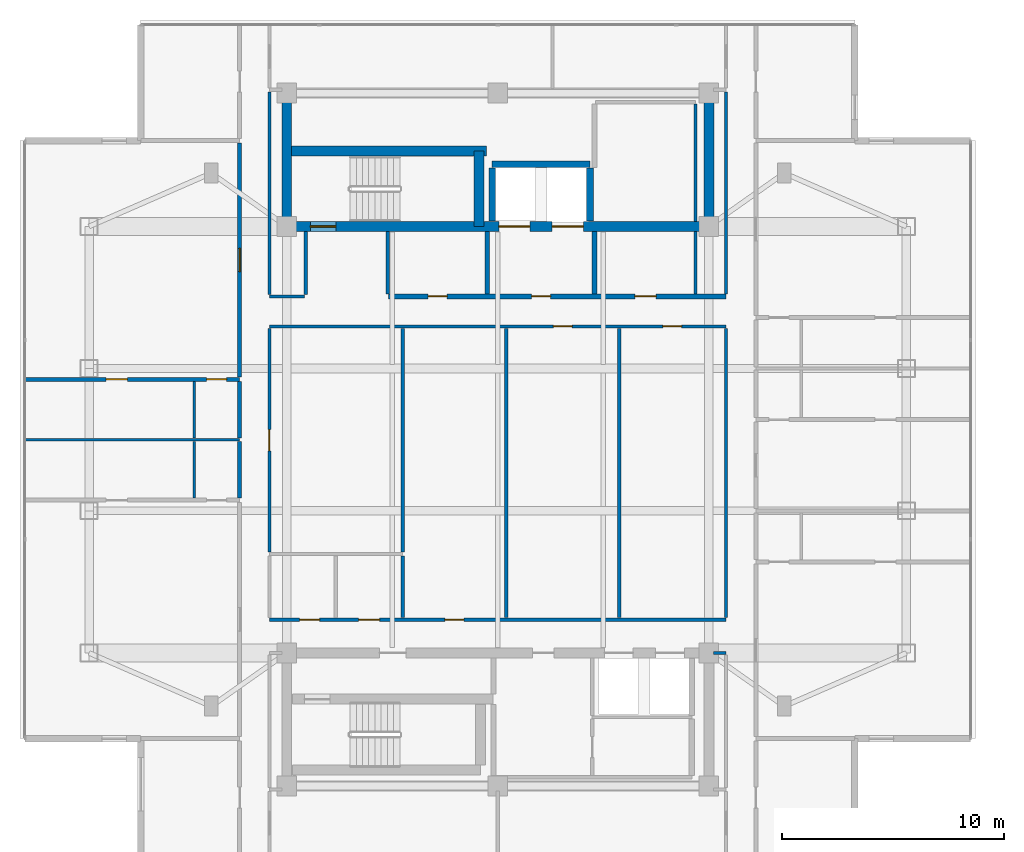
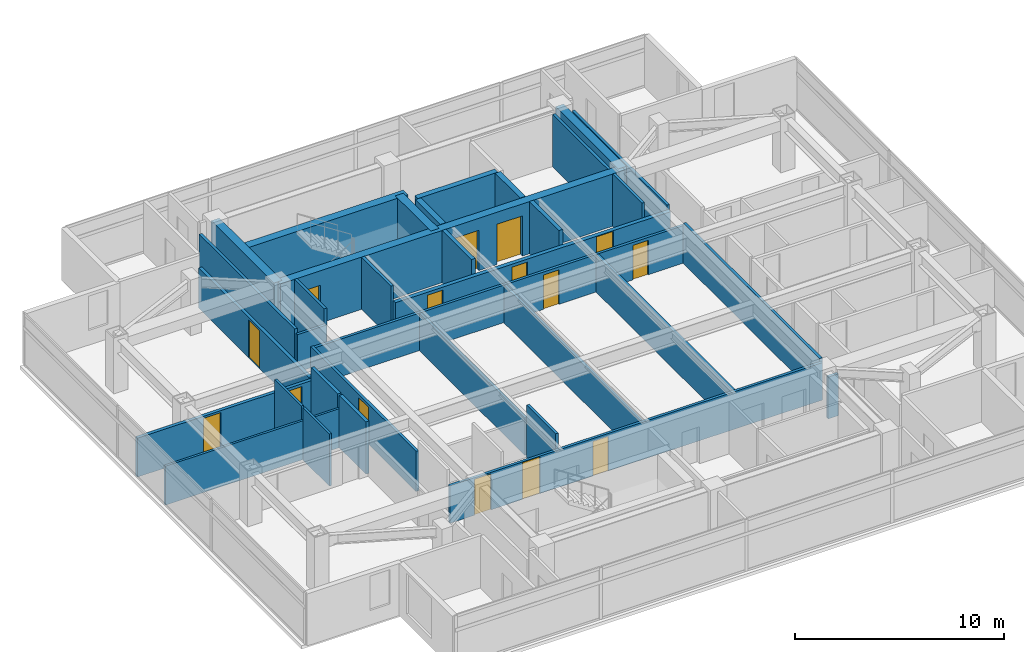
# One storey, part 12 of 21: 34 walls, 15 doors, 15 openings.
"""IFC4 building model written with IfcOpenShell, lengths in metres."""

from ifc_helpers import new_model, si_unit, direction, frame, frame_2d, origin, place, context, subcontext, project, spatial, rectangle, extrude, material, layer, layer_set, type_object, element, fill, save


model = new_model("IFC4")

# Units and contexts
model_context = context("Model", 3, precision=1e-05, world=origin(), true_north=direction((0.0, 1.0)))
body_context = subcontext(model_context, "Body", "Model", "MODEL_VIEW")
ifc_project = project(units=[si_unit("LENGTHUNIT", "METRE"), si_unit("AREAUNIT", "SQUARE_METRE"), si_unit("VOLUMEUNIT", "CUBIC_METRE"), si_unit("PLANEANGLEUNIT", "RADIAN"), si_unit("MASSUNIT", "GRAM", prefix="KILO")], contexts=[model_context])

# Site, building, storey
site_placement = place(None, origin())
site = spatial("IfcSite", under=ifc_project, at=site_placement, CompositionType="ELEMENT")
building_placement = place(site_placement, origin())
building = spatial("IfcBuilding", under=site, at=building_placement, Name="Mirazonda Arch Towers", CompositionType="ELEMENT")
storey_placement = place(building_placement, frame((0.0, 0.0, 206.39990234375)))
storey = spatial("IfcBuildingStorey", under=building, at=storey_placement, Name="L59", CompositionType="ELEMENT", Elevation=206.39990234375)

# Walls
ifc_material_1 = material(Name="Concrete C50/60", Category="concrete")
ifc_layer_1 = layer(ifc_material_1, 0.449951171875, Name="WALL-CORE-450")
ifc_layer_set_1 = layer_set([ifc_layer_1], Name="Concrete C50/60")
wall_type_1 = type_object("IfcWallType", Name="WALL-CORE-450", PredefinedType="SHEAR", material=ifc_layer_set_1)
for number, where, z_axis, x_axis, name in (
    (1, (11.0, 37.60009765625, 0.0), (0.0, 0.0, 1.0), (0.0, 1.0, 0.0), "L59 T1N-W Core Shear Wall"),
    (2, (30.0, 37.60009765625, 0.0), (0.0, 0.0, 1.0), (0.0, 1.0, 0.0), "L59 T1N-E Core Shear Wall"),
):
    element("IfcWall", number, at=place(storey_placement, frame(where, z_axis=z_axis, x_axis=x_axis)), inside=storey, type_object=wall_type_1, Name=name, PredefinedType="SHEAR", context=body_context, shape_type="SweptSolid", body=[
        extrude(rectangle(XDim=6.0, YDim=0.449951171875, at=frame_2d((3.0, 0.0))), origin(), (0.0, 0.0, 1.0), 3.050048828125),
    ])

# Wall, openings, doors
wall_1_placement = place(storey_placement, frame((11.0, 37.60009765625, 0.0), z_axis=(0.0, 0.0, 1.0), x_axis=(1.0, 0.0, 0.0)))
wall_1 = element("IfcWall", 3, at=wall_1_placement, inside=storey, type_object=wall_type_1, Name="L59 T1N-S Core Shear Wall", PredefinedType="SHEAR", context=body_context, shape_type="SweptSolid", body=[
    extrude(rectangle(XDim=19.0, YDim=0.449951171875, at=frame_2d((9.5, 0.0))), origin(), (0.0, 0.0, 1.0), 3.050048828125),
])
opening_1_placement = place(wall_1_placement, frame((1.06005859375, 0.0, 0.0)))
opening_1 = element("IfcOpeningElement", 4, at=opening_1_placement, cuts=wall_1, Name="Opening DR-135", PredefinedType="OPENING", context=body_context, shape_type="SweptSolid", body=[
    extrude(rectangle(XDim=1.14990234375, YDim=2.199951171875, at=frame_2d((0.574951171875, 1.10009765625))), frame((0.0, 0.23486328125, 0.0), z_axis=(0.0, -1.0, 0.0), x_axis=(1.0, 0.0, 0.0)), (0.0, 0.0, 1.0), 0.469970703125),
])
opening_2_placement = place(wall_1_placement, frame((9.550048828125, 0.0, 0.0)))
opening_2 = element("IfcOpeningElement", 5, at=opening_2_placement, cuts=wall_1, Name="Opening LD-112", PredefinedType="OPENING", context=body_context, shape_type="SweptSolid", body=[
    extrude(rectangle(XDim=1.39990234375, YDim=2.35009765625, at=frame_2d((0.699951171875, 1.175048828125))), frame((0.0, 0.23486328125, 0.0), z_axis=(0.0, -1.0, 0.0), x_axis=(1.0, 0.0, 0.0)), (0.0, 0.0, 1.0), 0.469970703125),
])
opening_3_placement = place(wall_1_placement, frame((11.949951171875, 0.0, 0.0)))
opening_3 = element("IfcOpeningElement", 6, at=opening_3_placement, cuts=wall_1, Name="Opening LD-112", PredefinedType="OPENING", context=body_context, shape_type="SweptSolid", body=[
    extrude(rectangle(XDim=1.39990234375, YDim=2.35009765625, at=frame_2d((0.699951171875, 1.175048828125))), frame((0.0, 0.23486328125, 0.0), z_axis=(0.0, -1.0, 0.0), x_axis=(1.0, 0.0, 0.0)), (0.0, 0.0, 1.0), 0.469970703125),
])
ifc_material_2 = material(Name="Architectural Brushed Steel S355", Category="steel")
door_type_1 = type_object("IfcDoorType", Name="DOOR-LIFT-FFL-1400", OperationType="NOTDEFINED", PredefinedType="DOOR", material=ifc_material_2)
door_1_placement = place(opening_2_placement, origin())
door_1 = element("IfcDoor", 7, at=door_1_placement, inside=storey, type_object=door_type_1, Name="L59 Lift Landing Sliding Door FFL-T1", OperationType="DOUBLE_DOOR_SLIDING", OverallHeight=2.35009765625, OverallWidth=1.39990234375, PredefinedType="DOOR", context=body_context, shape_type="SweptSolid", body=[
    extrude(rectangle(XDim=1.39990234375, YDim=2.35009765625, at=frame_2d((0.699951171875, 1.175048828125))), frame((0.0, 0.02490234375, 0.0), z_axis=(0.0, -1.0, 0.0), x_axis=(1.0, 0.0, 0.0)), (0.0, 0.0, 1.0), 0.050048828125),
])
fill(opening_2, door_1)
door_2_placement = place(opening_3_placement, origin())
door_2 = element("IfcDoor", 8, at=door_2_placement, inside=storey, type_object=door_type_1, Name="L59 Lift Landing Sliding Door SVL-T1", OperationType="DOUBLE_DOOR_SLIDING", OverallHeight=2.35009765625, OverallWidth=1.39990234375, PredefinedType="DOOR", context=body_context, shape_type="SweptSolid", body=[
    extrude(rectangle(XDim=1.39990234375, YDim=2.35009765625, at=frame_2d((0.699951171875, 1.175048828125))), frame((0.0, 0.02490234375, 0.0), z_axis=(0.0, -1.0, 0.0), x_axis=(1.0, 0.0, 0.0)), (0.0, 0.0, 1.0), 0.050048828125),
])
fill(opening_3, door_2)
door_type_2 = type_object("IfcDoorType", Name="DOOR-STAIR-FD90-1150", OperationType="NOTDEFINED", PredefinedType="DOOR", material=ifc_material_2)
door_3_placement = place(opening_1_placement, origin())
door_3 = element("IfcDoor", 9, at=door_3_placement, inside=storey, type_object=door_type_2, Name="L59 Protected Exit Stair North Door", OperationType="SINGLE_SWING_RIGHT", OverallHeight=2.199951171875, OverallWidth=1.14990234375, PredefinedType="DOOR", context=body_context, shape_type="SweptSolid", body=[
    extrude(rectangle(XDim=1.14990234375, YDim=2.199951171875, at=frame_2d((0.574951171875, 1.10009765625))), frame((0.0, 0.02490234375, 0.0), z_axis=(0.0, -1.0, 0.0), x_axis=(1.0, 0.0, 0.0)), (0.0, 0.0, 1.0), 0.050048828125),
])
fill(opening_1, door_3)

# Walls
wall_2_placement = place(storey_placement, frame((11.0, 40.992919921875, 0.0), z_axis=(0.0, 0.0, 1.0), x_axis=(1.0, 0.0, 0.0)))
element("IfcWall", 10, at=wall_2_placement, inside=storey, type_object=wall_type_1, Name="L59 T1N-STN Core Shear Wall", PredefinedType="SHEAR", context=body_context, shape_type="SweptSolid", body=[
    extrude(rectangle(XDim=9.0, YDim=0.449951171875, at=frame_2d((4.5, 0.0))), origin(), (0.0, 0.0, 1.0), 3.050048828125),
])
wall_3_placement = place(storey_placement, frame((19.64990234375, 37.60009765625, 0.0), z_axis=(0.0, 0.0, 1.0), x_axis=(0.0, 1.0, 0.0)))
element("IfcWall", 11, at=wall_3_placement, inside=storey, type_object=wall_type_1, Name="L59 T1N-STE Core Shear Wall", PredefinedType="SHEAR", context=body_context, shape_type="SweptSolid", body=[
    extrude(rectangle(XDim=3.392822265625, YDim=0.449951171875, at=frame_2d((1.6962890625, 0.0))), origin(), (0.0, 0.0, 1.0), 3.050048828125),
])

# Wall, openings, doors
ifc_material_3 = material(Name="Concrete C40/50", Category="concrete")
ifc_layer_2 = layer(ifc_material_3, 0.219970703125, Name="WALL-FFL-220")
ifc_layer_set_2 = layer_set([ifc_layer_2], Name="Concrete C40/50")
wall_type_2 = type_object("IfcWallType", Name="WALL-FFL-220", PredefinedType="SOLIDWALL", material=ifc_layer_set_2)
wall_4_placement = place(storey_placement, frame((15.590087890625, 34.449951171875, 0.0), z_axis=(0.0, 0.0, 1.0), x_axis=(1.0, 0.0, 0.0)))
wall_4 = element("IfcWall", 12, at=wall_4_placement, inside=storey, type_object=wall_type_2, Name="L59 Interior Partition 042", PredefinedType="SOLIDWALL", context=body_context, shape_type="SweptSolid", body=[
    extrude(rectangle(XDim=15.18994140625, YDim=0.219970703125, at=frame_2d((7.594970703125, 0.0))), origin(), (0.0, 0.0, 1.0), 2.18603515625),
])
opening_4_placement = place(wall_4_placement, frame((6.43505859375, 0.0, 0.0)))
opening_4 = element("IfcOpeningElement", 13, at=opening_4_placement, cuts=wall_4, Name="Opening DR-128", PredefinedType="OPENING", context=body_context, shape_type="SweptSolid", body=[
    extrude(rectangle(XDim=0.85009765625, YDim=2.010009765625, at=frame_2d((0.425048828125, 1.0048828125))), frame((0.0, 0.119873046875, 0.0), z_axis=(0.0, -1.0, 0.0), x_axis=(1.0, 0.0, 0.0)), (0.0, 0.0, 1.0), 0.239990234375),
])
opening_5_placement = place(wall_4_placement, frame((11.0849609375, 0.0, 0.0)))
opening_5 = element("IfcOpeningElement", 14, at=opening_5_placement, cuts=wall_4, Name="Opening DR-104", PredefinedType="OPENING", context=body_context, shape_type="SweptSolid", body=[
    extrude(rectangle(XDim=0.949951171875, YDim=2.14990234375, at=frame_2d((0.47509765625, 1.074951171875))), frame((0.0, 0.119873046875, 0.0), z_axis=(0.0, -1.0, 0.0), x_axis=(1.0, 0.0, 0.0)), (0.0, 0.0, 1.0), 0.239990234375),
])
opening_6_placement = place(wall_4_placement, frame((1.77490234375, 0.0, 0.0)))
opening_6 = element("IfcOpeningElement", 15, at=opening_6_placement, cuts=wall_4, Name="Opening DR-128", PredefinedType="OPENING", context=body_context, shape_type="SweptSolid", body=[
    extrude(rectangle(XDim=0.85009765625, YDim=2.010009765625, at=frame_2d((0.425048828125, 1.0048828125))), frame((0.0, 0.119873046875, 0.0), z_axis=(0.0, -1.0, 0.0), x_axis=(1.0, 0.0, 0.0)), (0.0, 0.0, 1.0), 0.239990234375),
])
door_type_3 = type_object("IfcDoorType", Name="DOOR-RISER-FD60-850", OperationType="NOTDEFINED", PredefinedType="DOOR", material=ifc_material_2)
door_4_placement = place(opening_4_placement, origin())
door_4 = element("IfcDoor", 16, at=door_4_placement, inside=storey, type_object=door_type_3, Name="L59 Firefighting Lift Lobby Door", OperationType="SINGLE_SWING_LEFT", OverallHeight=2.010009765625, OverallWidth=0.85009765625, PredefinedType="DOOR", context=body_context, shape_type="SweptSolid", body=[
    extrude(rectangle(XDim=0.85009765625, YDim=2.010009765625, at=frame_2d((0.425048828125, 1.0048828125))), frame((0.0, 0.02490234375, 0.0), z_axis=(0.0, -1.0, 0.0), x_axis=(1.0, 0.0, 0.0)), (0.0, 0.0, 1.0), 0.050048828125),
])
fill(opening_4, door_4)
door_5_placement = place(opening_6_placement, origin())
door_5 = element("IfcDoor", 17, at=door_5_placement, inside=storey, type_object=door_type_3, Name="L59 Housekeeping Linen Room Door", OperationType="SINGLE_SWING_LEFT", OverallHeight=2.010009765625, OverallWidth=0.85009765625, PredefinedType="DOOR", context=body_context, shape_type="SweptSolid", body=[
    extrude(rectangle(XDim=0.85009765625, YDim=2.010009765625, at=frame_2d((0.425048828125, 1.0048828125))), frame((0.0, 0.02490234375, 0.0), z_axis=(0.0, -1.0, 0.0), x_axis=(1.0, 0.0, 0.0)), (0.0, 0.0, 1.0), 0.050048828125),
])
fill(opening_6, door_5)
door_type_4 = type_object("IfcDoorType", Name="DOOR-ROOM-950", OperationType="NOTDEFINED", PredefinedType="DOOR", material=ifc_material_2)
door_6_placement = place(opening_5_placement, origin())
door_6 = element("IfcDoor", 18, at=door_6_placement, inside=storey, type_object=door_type_4, Name="L59 Residents Private Art Gallery Door", OperationType="SINGLE_SWING_RIGHT", OverallHeight=2.14990234375, OverallWidth=0.949951171875, PredefinedType="DOOR", context=body_context, shape_type="SweptSolid", body=[
    extrude(rectangle(XDim=0.949951171875, YDim=2.14990234375, at=frame_2d((0.47509765625, 1.074951171875))), frame((0.0, 0.02490234375, 0.0), z_axis=(0.0, -1.0, 0.0), x_axis=(1.0, 0.0, 0.0)), (0.0, 0.0, 1.0), 0.050048828125),
])
fill(opening_5, door_6)

# Walls
for number, where, z_axis, x_axis, name in (
    (19, (20.02490234375, 34.570068359375, 0.0), (0.0, 0.0, 1.0), (0.0, 1.0, 0.0), "L59 Interior Partition 075"),
    (20, (24.85009765625, 34.570068359375, 0.0), (0.0, 0.0, 1.0), (0.0, 1.0, 0.0), "L59 Interior Partition 085"),
):
    element("IfcWall", number, at=place(storey_placement, frame(where, z_axis=z_axis, x_axis=x_axis)), inside=storey, type_object=wall_type_2, Name=name, PredefinedType="SOLIDWALL", context=body_context, shape_type="SweptSolid", body=[
        extrude(rectangle(XDim=2.809814453125, YDim=0.219970703125, at=frame_2d((1.40478515625, 0.0))), origin(), (0.0, 0.0, 1.0), 3.050048828125),
    ])
ifc_material_4 = material(Name="Fire-Rated Gypsum Stud Partition")
ifc_layer_3 = layer(ifc_material_4, 0.14990234375, Name="WALL-PART-CORR-150")
ifc_layer_set_3 = layer_set([ifc_layer_3], Name="Fire-Rated Gypsum Stud Partition")
wall_type_3 = type_object("IfcWallType", Name="WALL-PART-CORR-150", PredefinedType="PARTITIONING", material=ifc_layer_set_3)
wall_5_placement = place(storey_placement, frame((30.219970703125, 18.39990234375, 0.0), z_axis=(0.0, 0.0, 1.0), x_axis=(1.0, 0.0, 0.0)))
element("IfcWall", 21, at=wall_5_placement, inside=storey, type_object=wall_type_3, Name="L59 Interior Partition 013", PredefinedType="PARTITIONING", context=body_context, shape_type="SweptSolid", body=[
    extrude(rectangle(XDim=0.56005859375, YDim=0.14990234375, at=frame_2d((0.280029296875, 0.0))), origin(), (0.0, 0.0, 1.0), 2.442138671875),
])

# Wall, openings, doors
wall_6_placement = place(storey_placement, frame((10.219970703125, 19.89990234375, 0.0), z_axis=(0.0, 0.0, 1.0), x_axis=(1.0, 0.0, 0.0)))
wall_6 = element("IfcWall", 22, at=wall_6_placement, inside=storey, type_object=wall_type_3, Name="L59 Interior Partition 015", PredefinedType="PARTITIONING", context=body_context, shape_type="SweptSolid", body=[
    extrude(rectangle(XDim=20.56005859375, YDim=0.14990234375, at=frame_2d((10.280029296875, 0.0))), origin(), (0.0, 0.0, 1.0), 2.18603515625),
])
opening_7_placement = place(wall_6_placement, frame((1.360107421875, 0.0, 0.0)))
opening_7 = element("IfcOpeningElement", 23, at=opening_7_placement, cuts=wall_6, Name="Opening DR-120", PredefinedType="OPENING", context=body_context, shape_type="SweptSolid", body=[
    extrude(rectangle(XDim=0.89990234375, YDim=2.10009765625, at=frame_2d((0.449951171875, 1.050048828125))), frame((0.0, 0.0849609375, 0.0), z_axis=(0.0, -1.0, 0.0), x_axis=(1.0, 0.0, 0.0)), (0.0, 0.0, 1.0), 0.169921875),
])
opening_8_placement = place(wall_6_placement, frame((4.014892578125, 0.0, 0.0)))
opening_8 = element("IfcOpeningElement", 24, at=opening_8_placement, cuts=wall_6, Name="Opening DR-104", PredefinedType="OPENING", context=body_context, shape_type="SweptSolid", body=[
    extrude(rectangle(XDim=0.949951171875, YDim=2.14990234375, at=frame_2d((0.47509765625, 1.074951171875))), frame((0.0, 0.0849609375, 0.0), z_axis=(0.0, -1.0, 0.0), x_axis=(1.0, 0.0, 0.0)), (0.0, 0.0, 1.0), 0.169921875),
])
opening_9_placement = place(wall_6_placement, frame((7.904541015625, 0.0, 0.0)))
opening_9 = element("IfcOpeningElement", 25, at=opening_9_placement, cuts=wall_6, Name="Opening DR-128", PredefinedType="OPENING", context=body_context, shape_type="SweptSolid", body=[
    extrude(rectangle(XDim=0.85009765625, YDim=2.010009765625, at=frame_2d((0.425048828125, 1.0048828125))), frame((0.0, 0.0849609375, 0.0), z_axis=(0.0, -1.0, 0.0), x_axis=(1.0, 0.0, 0.0)), (0.0, 0.0, 1.0), 0.169921875),
])
door_7_placement = place(opening_9_placement, origin())
door_7 = element("IfcDoor", 26, at=door_7_placement, inside=storey, type_object=door_type_3, Name="L59 Executive Club Lounge Door", OperationType="SINGLE_SWING_RIGHT", OverallHeight=2.010009765625, OverallWidth=0.85009765625, PredefinedType="DOOR", context=body_context, shape_type="SweptSolid", body=[
    extrude(rectangle(XDim=0.85009765625, YDim=2.010009765625, at=frame_2d((0.425048828125, 1.0048828125))), frame((0.0, 0.02490234375, 0.0), z_axis=(0.0, -1.0, 0.0), x_axis=(1.0, 0.0, 0.0)), (0.0, 0.0, 1.0), 0.050048828125),
])
fill(opening_9, door_7)
door_8_placement = place(opening_8_placement, origin())
door_8 = element("IfcDoor", 27, at=door_8_placement, inside=storey, type_object=door_type_4, Name="L59 L59 West Courtyard Study Door", OperationType="SINGLE_SWING_RIGHT", OverallHeight=2.14990234375, OverallWidth=0.949951171875, PredefinedType="DOOR", context=body_context, shape_type="SweptSolid", body=[
    extrude(rectangle(XDim=0.949951171875, YDim=2.14990234375, at=frame_2d((0.47509765625, 1.074951171875))), frame((0.0, 0.02490234375, 0.0), z_axis=(0.0, -1.0, 0.0), x_axis=(1.0, 0.0, 0.0)), (0.0, 0.0, 1.0), 0.050048828125),
])
fill(opening_8, door_8)
door_type_5 = type_object("IfcDoorType", Name="DOOR-WC-900", OperationType="NOTDEFINED", PredefinedType="DOOR", material=ifc_material_2)
door_9_placement = place(opening_7_placement, origin())
door_9 = element("IfcDoor", 28, at=door_9_placement, inside=storey, type_object=door_type_5, Name="L59 Common Accessible WC Door", OperationType="SINGLE_SWING_RIGHT", OverallHeight=2.10009765625, OverallWidth=0.89990234375, PredefinedType="DOOR", context=body_context, shape_type="SweptSolid", body=[
    extrude(rectangle(XDim=0.89990234375, YDim=2.10009765625, at=frame_2d((0.449951171875, 1.050048828125))), frame((0.0, 0.02490234375, 0.0), z_axis=(0.0, -1.0, 0.0), x_axis=(1.0, 0.0, 0.0)), (0.0, 0.0, 1.0), 0.050048828125),
])
fill(opening_7, door_9)

wall_7_placement = place(storey_placement, frame((10.219970703125, 33.10009765625, 0.0), z_axis=(0.0, 0.0, 1.0), x_axis=(1.0, 0.0, 0.0)))
wall_7 = element("IfcWall", 29, at=wall_7_placement, inside=storey, type_object=wall_type_3, Name="L59 Interior Partition 039", PredefinedType="PARTITIONING", context=body_context, shape_type="SweptSolid", body=[
    extrude(rectangle(XDim=20.56005859375, YDim=0.14990234375, at=frame_2d((10.280029296875, 0.0))), origin(), (0.0, 0.0, 1.0), 2.18603515625),
])
opening_10_placement = place(wall_7_placement, frame((12.781982421875, 0.0, 0.0)))
opening_10 = element("IfcOpeningElement", 30, at=opening_10_placement, cuts=wall_7, Name="Opening DR-128", PredefinedType="OPENING", context=body_context, shape_type="SweptSolid", body=[
    extrude(rectangle(XDim=0.85009765625, YDim=2.010009765625, at=frame_2d((0.425048828125, 1.0048828125))), frame((0.0, 0.0849609375, 0.0), z_axis=(0.0, -1.0, 0.0), x_axis=(1.0, 0.0, 0.0)), (0.0, 0.0, 1.0), 0.169921875),
])
opening_11_placement = place(wall_7_placement, frame((17.71240234375, 0.0, 0.0)))
opening_11 = element("IfcOpeningElement", 31, at=opening_11_placement, cuts=wall_7, Name="Opening DR-128", PredefinedType="OPENING", context=body_context, shape_type="SweptSolid", body=[
    extrude(rectangle(XDim=0.85009765625, YDim=2.010009765625, at=frame_2d((0.425048828125, 1.0048828125))), frame((0.0, 0.0849609375, 0.0), z_axis=(0.0, -1.0, 0.0), x_axis=(1.0, 0.0, 0.0)), (0.0, 0.0, 1.0), 0.169921875),
])
door_10_placement = place(opening_10_placement, origin())
door_10 = element("IfcDoor", 32, at=door_10_placement, inside=storey, type_object=door_type_3, Name="L59 Concierge Salon Door", OperationType="SINGLE_SWING_LEFT", OverallHeight=2.010009765625, OverallWidth=0.85009765625, PredefinedType="DOOR", context=body_context, shape_type="SweptSolid", body=[
    extrude(rectangle(XDim=0.85009765625, YDim=2.010009765625, at=frame_2d((0.425048828125, 1.0048828125))), frame((0.0, 0.02490234375, 0.0), z_axis=(0.0, -1.0, 0.0), x_axis=(1.0, 0.0, 0.0)), (0.0, 0.0, 1.0), 0.050048828125),
])
fill(opening_10, door_10)
door_11_placement = place(opening_11_placement, origin())
door_11 = element("IfcDoor", 33, at=door_11_placement, inside=storey, type_object=door_type_3, Name="L59 Private Meeting Suite Door", OperationType="SINGLE_SWING_RIGHT", OverallHeight=2.010009765625, OverallWidth=0.85009765625, PredefinedType="DOOR", context=body_context, shape_type="SweptSolid", body=[
    extrude(rectangle(XDim=0.85009765625, YDim=2.010009765625, at=frame_2d((0.425048828125, 1.0048828125))), frame((0.0, 0.02490234375, 0.0), z_axis=(0.0, -1.0, 0.0), x_axis=(1.0, 0.0, 0.0)), (0.0, 0.0, 1.0), 0.050048828125),
])
fill(opening_11, door_11)

# Wall
wall_8_placement = place(storey_placement, frame((10.219970703125, 34.449951171875, 0.0), z_axis=(0.0, 0.0, 1.0), x_axis=(1.0, 0.0, 0.0)))
element("IfcWall", 34, at=wall_8_placement, inside=storey, type_object=wall_type_3, Name="L59 Interior Partition 041", PredefinedType="PARTITIONING", context=body_context, shape_type="SweptSolid", body=[
    extrude(rectangle(XDim=1.580078125, YDim=0.14990234375, at=frame_2d((0.7900390625, 0.0))), origin(), (0.0, 0.0, 1.0), 2.18603515625),
])

# Wall, opening, door
wall_9_placement = place(storey_placement, frame((10.219970703125, 22.93505859375, 0.0), z_axis=(0.0, 0.0, 1.0), x_axis=(0.0, 1.0, 0.0)))
wall_9 = element("IfcWall", 35, at=wall_9_placement, inside=storey, type_object=wall_type_3, Name="L59 Interior Partition 066", PredefinedType="PARTITIONING", context=body_context, shape_type="SweptSolid", body=[
    extrude(rectangle(XDim=10.079833984375, YDim=0.14990234375, at=frame_2d((5.0400390625, 0.0))), origin(), (0.0, 0.0, 1.0), 2.34619140625),
])
opening_12_placement = place(wall_9_placement, frame((4.56494140625, 0.0, 0.0)))
opening_12 = element("IfcOpeningElement", 36, at=opening_12_placement, cuts=wall_9, Name="Opening DR-104", PredefinedType="OPENING", context=body_context, shape_type="SweptSolid", body=[
    extrude(rectangle(XDim=0.949951171875, YDim=2.14990234375, at=frame_2d((0.47509765625, 1.074951171875))), frame((0.0, 0.0849609375, 0.0), z_axis=(0.0, -1.0, 0.0), x_axis=(1.0, 0.0, 0.0)), (0.0, 0.0, 1.0), 0.169921875),
])
door_12_placement = place(opening_12_placement, origin())
door_12 = element("IfcDoor", 37, at=door_12_placement, inside=storey, type_object=door_type_4, Name="L59 L59 West Courtyard Salon Door", OperationType="SINGLE_SWING_LEFT", OverallHeight=2.14990234375, OverallWidth=0.949951171875, PredefinedType="DOOR", context=body_context, shape_type="SweptSolid", body=[
    extrude(rectangle(XDim=0.949951171875, YDim=2.14990234375, at=frame_2d((0.47509765625, 1.074951171875))), frame((0.0, 0.02490234375, 0.0), z_axis=(0.0, -1.0, 0.0), x_axis=(1.0, 0.0, 0.0)), (0.0, 0.0, 1.0), 0.050048828125),
])
fill(opening_12, door_12)

# Walls
wall_10_placement = place(storey_placement, frame((10.219970703125, 34.534912109375, 0.0), z_axis=(0.0, 0.0, 1.0), x_axis=(0.0, 1.0, 0.0)))
element("IfcWall", 38, at=wall_10_placement, inside=storey, type_object=wall_type_3, Name="L59 Interior Partition 067", PredefinedType="PARTITIONING", context=body_context, shape_type="SweptSolid", body=[
    extrude(rectangle(XDim=9.130126953125, YDim=0.14990234375, at=frame_2d((4.56494140625, 0.0))), origin(), (0.0, 0.0, 1.0), 2.442138671875),
])
wall_11_placement = place(storey_placement, frame((11.85009765625, 34.534912109375, 0.0), z_axis=(0.0, 0.0, 1.0), x_axis=(0.0, 1.0, 0.0)))
element("IfcWall", 39, at=wall_11_placement, inside=storey, type_object=wall_type_3, Name="L59 Interior Partition 069", PredefinedType="PARTITIONING", context=body_context, shape_type="SweptSolid", body=[
    extrude(rectangle(XDim=2.844970703125, YDim=0.14990234375, at=frame_2d((1.42236328125, 0.0))), origin(), (0.0, 0.0, 1.0), 3.050048828125),
])
wall_12_placement = place(storey_placement, frame((15.550048828125, 34.570068359375, 0.0), z_axis=(0.0, 0.0, 1.0), x_axis=(0.0, 1.0, 0.0)))
element("IfcWall", 40, at=wall_12_placement, inside=storey, type_object=wall_type_3, Name="L59 Interior Partition 071", PredefinedType="PARTITIONING", context=body_context, shape_type="SweptSolid", body=[
    extrude(rectangle(XDim=2.809814453125, YDim=0.14990234375, at=frame_2d((1.40478515625, 0.0))), origin(), (0.0, 0.0, 1.0), 3.050048828125),
])
wall_13_placement = place(storey_placement, frame((16.219970703125, 19.985107421875, 0.0), z_axis=(0.0, 0.0, 1.0), x_axis=(0.0, 1.0, 0.0)))
element("IfcWall", 41, at=wall_13_placement, inside=storey, type_object=wall_type_3, Name="L59 Interior Partition 072", PredefinedType="PARTITIONING", context=body_context, shape_type="SweptSolid", body=[
    extrude(rectangle(XDim=2.77978515625, YDim=0.14990234375, at=frame_2d((1.389892578125, 0.0))), origin(), (0.0, 0.0, 1.0), 3.050048828125),
])
wall_14_placement = place(storey_placement, frame((16.219970703125, 22.93505859375, 0.0), z_axis=(0.0, 0.0, 1.0), x_axis=(0.0, 1.0, 0.0)))
element("IfcWall", 42, at=wall_14_placement, inside=storey, type_object=wall_type_3, Name="L59 Interior Partition 073", PredefinedType="PARTITIONING", context=body_context, shape_type="SweptSolid", body=[
    extrude(rectangle(XDim=10.079833984375, YDim=0.14990234375, at=frame_2d((5.0400390625, 0.0))), origin(), (0.0, 0.0, 1.0), 2.18603515625),
])
for number, where, z_axis, x_axis, name in (
    (43, (20.87890625, 19.985107421875, 0.0), (0.0, 0.0, 1.0), (0.0, 1.0, 0.0), "L59 Interior Partition 080"),
    (44, (25.97509765625, 19.985107421875, 0.0), (0.0, 0.0, 1.0), (0.0, 1.0, 0.0), "L59 Interior Partition 087"),
):
    element("IfcWall", number, at=place(storey_placement, frame(where, z_axis=z_axis, x_axis=x_axis)), inside=storey, type_object=wall_type_3, Name=name, PredefinedType="PARTITIONING", context=body_context, shape_type="SweptSolid", body=[
        extrude(rectangle(XDim=13.02978515625, YDim=0.14990234375, at=frame_2d((6.514892578125, 0.0))), origin(), (0.0, 0.0, 1.0), 2.18603515625),
    ])
wall_15_placement = place(storey_placement, frame((29.39990234375, 34.570068359375, 0.0), z_axis=(0.0, 0.0, 1.0), x_axis=(0.0, 1.0, 0.0)))
element("IfcWall", 45, at=wall_15_placement, inside=storey, type_object=wall_type_3, Name="L59 Interior Partition 090", PredefinedType="PARTITIONING", context=body_context, shape_type="SweptSolid", body=[
    extrude(rectangle(XDim=2.809814453125, YDim=0.14990234375, at=frame_2d((1.40478515625, 0.0))), origin(), (0.0, 0.0, 1.0), 3.050048828125),
])
wall_16_placement = place(storey_placement, frame((29.39990234375, 37.820068359375, 0.0), z_axis=(0.0, 0.0, 1.0), x_axis=(0.0, 1.0, 0.0)))
element("IfcWall", 46, at=wall_16_placement, inside=storey, type_object=wall_type_3, Name="L59 Interior Partition 091", PredefinedType="PARTITIONING", context=body_context, shape_type="SweptSolid", body=[
    extrude(rectangle(XDim=5.294921875, YDim=0.14990234375, at=frame_2d((2.6474609375, 0.0))), origin(), (0.0, 0.0, 1.0), 3.050048828125),
])
wall_17_placement = place(storey_placement, frame((30.780029296875, 19.985107421875, 0.0), z_axis=(0.0, 0.0, 1.0), x_axis=(0.0, 1.0, 0.0)))
element("IfcWall", 47, at=wall_17_placement, inside=storey, type_object=wall_type_3, Name="L59 Interior Partition 094", PredefinedType="PARTITIONING", context=body_context, shape_type="SweptSolid", body=[
    extrude(rectangle(XDim=13.02978515625, YDim=0.14990234375, at=frame_2d((6.514892578125, 0.0))), origin(), (0.0, 0.0, 1.0), 2.34619140625),
])
wall_18_placement = place(storey_placement, frame((30.780029296875, 34.570068359375, 0.0), z_axis=(0.0, 0.0, 1.0), x_axis=(0.0, 1.0, 0.0)))
element("IfcWall", 48, at=wall_18_placement, inside=storey, type_object=wall_type_3, Name="L59 Interior Partition 095", PredefinedType="PARTITIONING", context=body_context, shape_type="SweptSolid", body=[
    extrude(rectangle(XDim=9.094970703125, YDim=0.14990234375, at=frame_2d((4.54736328125, 0.0))), origin(), (0.0, 0.0, 1.0), 2.442138671875),
])

# Wall, openings, doors
ifc_material_5 = material(Name="Fire-Rated Gypsum Twin-Stud Assembly")
ifc_layer_4 = layer(ifc_material_5, 0.179931640625, Name="WALL-PART-DEMISE-180")
ifc_layer_set_4 = layer_set([ifc_layer_4], Name="Fire-Rated Gypsum Twin-Stud Assembly")
wall_type_4 = type_object("IfcWallType", Name="WALL-PART-DEMISE-180", PredefinedType="PARTITIONING", material=ifc_layer_set_4)
wall_19_placement = place(storey_placement, frame((-0.7900390625, 30.719970703125, 0.0), z_axis=(0.0, 0.0, 1.0), x_axis=(1.0, 0.0, 0.0)))
wall_19 = element("IfcWall", 49, at=wall_19_placement, inside=storey, type_object=wall_type_4, Name="L59 Interior Partition 035", PredefinedType="PARTITIONING", context=body_context, shape_type="SweptSolid", body=[
    extrude(rectangle(XDim=9.669921875, YDim=0.179931640625, at=frame_2d((4.8349609375, 0.0))), origin(), (0.0, 0.0, 1.0), 2.26904296875),
])
opening_13_placement = place(wall_19_placement, frame((3.659912109375, 0.0, 0.0)))
opening_13 = element("IfcOpeningElement", 50, at=opening_13_placement, cuts=wall_19, Name="Opening DR-104", PredefinedType="OPENING", context=body_context, shape_type="SweptSolid", body=[
    extrude(rectangle(XDim=0.949951171875, YDim=2.14990234375, at=frame_2d((0.47509765625, 1.074951171875))), frame((0.0, 0.099853515625, 0.0), z_axis=(0.0, -1.0, 0.0), x_axis=(1.0, 0.0, 0.0)), (0.0, 0.0, 1.0), 0.199951171875),
])
opening_14_placement = place(wall_19_placement, frame((8.179931640625, 0.0, 0.0)))
opening_14 = element("IfcOpeningElement", 51, at=opening_14_placement, cuts=wall_19, Name="Opening DR-120", PredefinedType="OPENING", context=body_context, shape_type="SweptSolid", body=[
    extrude(rectangle(XDim=0.89990234375, YDim=2.10009765625, at=frame_2d((0.449951171875, 1.050048828125))), frame((0.0, 0.099853515625, 0.0), z_axis=(0.0, -1.0, 0.0), x_axis=(1.0, 0.0, 0.0)), (0.0, 0.0, 1.0), 0.199951171875),
])
door_13_placement = place(opening_13_placement, origin())
door_13 = element("IfcDoor", 52, at=door_13_placement, inside=storey, type_object=door_type_4, Name="L59 Suite Bedroom 2 Door", OperationType="SINGLE_SWING_LEFT", OverallHeight=2.14990234375, OverallWidth=0.949951171875, PredefinedType="DOOR", context=body_context, shape_type="SweptSolid", body=[
    extrude(rectangle(XDim=0.949951171875, YDim=2.14990234375, at=frame_2d((0.47509765625, 1.074951171875))), frame((0.0, 0.02490234375, 0.0), z_axis=(0.0, -1.0, 0.0), x_axis=(1.0, 0.0, 0.0)), (0.0, 0.0, 1.0), 0.050048828125),
])
fill(opening_13, door_13)
door_14_placement = place(opening_14_placement, origin())
door_14 = element("IfcDoor", 53, at=door_14_placement, inside=storey, type_object=door_type_5, Name="L59 Suite En-Suite Bathroom 2 Door", OperationType="SINGLE_SWING_RIGHT", OverallHeight=2.10009765625, OverallWidth=0.89990234375, PredefinedType="DOOR", context=body_context, shape_type="SweptSolid", body=[
    extrude(rectangle(XDim=0.89990234375, YDim=2.10009765625, at=frame_2d((0.449951171875, 1.050048828125))), frame((0.0, 0.02490234375, 0.0), z_axis=(0.0, -1.0, 0.0), x_axis=(1.0, 0.0, 0.0)), (0.0, 0.0, 1.0), 0.050048828125),
])
fill(opening_14, door_14)

# Walls
for number, where, z_axis, x_axis, name in (
    (54, (8.8798828125, 25.3798828125, 0.0), (0.0, 0.0, 1.0), (0.0, 1.0, 0.0), "L59 Interior Partition 059"),
    (55, (8.8798828125, 28.072509765625, 0.0), (0.0, 0.0, 1.0), (0.0, 1.0, 0.0), "L59 Interior Partition 060"),
):
    element("IfcWall", number, at=place(storey_placement, frame(where, z_axis=z_axis, x_axis=x_axis)), inside=storey, type_object=wall_type_4, Name=name, PredefinedType="PARTITIONING", context=body_context, shape_type="SweptSolid", body=[
        extrude(rectangle(XDim=2.547607421875, YDim=0.179931640625, at=frame_2d((1.27392578125, 0.0))), origin(), (0.0, 0.0, 1.0), 3.050048828125),
    ])

# Wall, opening, door
wall_20_placement = place(storey_placement, frame((8.8798828125, 30.820068359375, 0.0), z_axis=(0.0, 0.0, 1.0), x_axis=(0.0, 1.0, 0.0)))
wall_20 = element("IfcWall", 56, at=wall_20_placement, inside=storey, type_object=wall_type_4, Name="L59 Interior Partition 061", PredefinedType="PARTITIONING", context=body_context, shape_type="SweptSolid", body=[
    extrude(rectangle(XDim=10.541015625, YDim=0.179931640625, at=frame_2d((5.2705078125, 0.0))), origin(), (0.0, 0.0, 1.0), 2.34619140625),
])
opening_15_placement = place(wall_20_placement, frame((4.74560546875, 0.0, 0.0)))
opening_15 = element("IfcOpeningElement", 57, at=opening_15_placement, cuts=wall_20, Name="Opening DR-121", PredefinedType="OPENING", context=body_context, shape_type="SweptSolid", body=[
    extrude(rectangle(XDim=1.050048828125, YDim=2.199951171875, at=frame_2d((0.52490234375, 1.10009765625))), frame((0.0, 0.099853515625, 0.0), z_axis=(0.0, -1.0, 0.0), x_axis=(1.0, 0.0, 0.0)), (0.0, 0.0, 1.0), 0.199951171875),
])
door_type_6 = type_object("IfcDoorType", Name="DOOR-SUITE-FD60-1050", OperationType="NOTDEFINED", PredefinedType="DOOR", material=ifc_material_2)
door_15_placement = place(opening_15_placement, origin())
door_15 = element("IfcDoor", 58, at=door_15_placement, inside=storey, type_object=door_type_6, Name="L59 Presidential Hotel Suite 2 Door", OperationType="SINGLE_SWING_RIGHT", OverallHeight=2.199951171875, OverallWidth=1.050048828125, PredefinedType="DOOR", context=body_context, shape_type="SweptSolid", body=[
    extrude(rectangle(XDim=1.050048828125, YDim=2.199951171875, at=frame_2d((0.52490234375, 1.10009765625))), frame((0.0, 0.02490234375, 0.0), z_axis=(0.0, -1.0, 0.0), x_axis=(1.0, 0.0, 0.0)), (0.0, 0.0, 1.0), 0.050048828125),
])
fill(opening_15, door_15)

# Walls
ifc_material_6 = material(Name="Acoustic Fire-Rated Gypsum Partition")
ifc_layer_5 = layer(ifc_material_6, 0.125, Name="WALL-PART-UNIT-125")
ifc_layer_set_5 = layer_set([ifc_layer_5], Name="Acoustic Fire-Rated Gypsum Partition")
wall_type_5 = type_object("IfcWallType", Name="WALL-PART-UNIT-125", PredefinedType="PARTITIONING", material=ifc_layer_set_5)
wall_21_placement = place(storey_placement, frame((-0.7900390625, 28.0, 0.0), z_axis=(0.0, 0.0, 1.0), x_axis=(1.0, 0.0, 0.0)))
element("IfcWall", 59, at=wall_21_placement, inside=storey, type_object=wall_type_5, Name="L59 Interior Partition 030", PredefinedType="PARTITIONING", context=body_context, shape_type="SweptSolid", body=[
    extrude(rectangle(XDim=9.669921875, YDim=0.125, at=frame_2d((4.8349609375, 0.0))), origin(), (0.0, 0.0, 1.0), 2.26904296875),
])
for number, where, z_axis, x_axis, name in (
    (60, (6.840087890625, 25.3798828125, 0.0), (0.0, 0.0, 1.0), (0.0, 1.0, 0.0), "L59 Interior Partition 055"),
    (61, (6.840087890625, 28.072509765625, 0.0), (0.0, 0.0, 1.0), (0.0, 1.0, 0.0), "L59 Interior Partition 056"),
):
    element("IfcWall", number, at=place(storey_placement, frame(where, z_axis=z_axis, x_axis=x_axis)), inside=storey, type_object=wall_type_5, Name=name, PredefinedType="PARTITIONING", context=body_context, shape_type="SweptSolid", body=[
        extrude(rectangle(XDim=2.547607421875, YDim=0.125, at=frame_2d((1.27392578125, 0.0))), origin(), (0.0, 0.0, 1.0), 3.050048828125),
    ])
ifc_layer_6 = layer(ifc_material_1, 0.300048828125, Name="WALL-SHAFT-300")
ifc_layer_set_6 = layer_set([ifc_layer_6], Name="Concrete C50/60")
wall_type_6 = type_object("IfcWallType", Name="WALL-SHAFT-300", PredefinedType="SOLIDWALL", material=ifc_layer_set_6)
wall_22_placement = place(storey_placement, frame((20.25, 40.39990234375, 0.0), z_axis=(0.0, 0.0, 1.0), x_axis=(1.0, 0.0, 0.0)))
element("IfcWall", 62, at=wall_22_placement, inside=storey, type_object=wall_type_6, Name="L59 Interior Partition 049", PredefinedType="SOLIDWALL", context=body_context, shape_type="SweptSolid", body=[
    extrude(rectangle(XDim=4.39990234375, YDim=0.300048828125, at=frame_2d((2.199951171875, 0.0))), origin(), (0.0, 0.0, 1.0), 3.050048828125),
])
for number, where, z_axis, x_axis, name in (
    (63, (20.25, 37.85009765625, 0.0), (0.0, 0.0, 1.0), (0.0, 1.0, 0.0), "L59 Interior Partition 078"),
    (64, (24.64990234375, 37.85009765625, 0.0), (0.0, 0.0, 1.0), (0.0, 1.0, 0.0), "L59 Interior Partition 084"),
):
    element("IfcWall", number, at=place(storey_placement, frame(where, z_axis=z_axis, x_axis=x_axis)), inside=storey, type_object=wall_type_6, Name=name, PredefinedType="SOLIDWALL", context=body_context, shape_type="SweptSolid", body=[
        extrude(rectangle(XDim=2.389892578125, YDim=0.300048828125, at=frame_2d((1.19482421875, 0.0))), origin(), (0.0, 0.0, 1.0), 3.050048828125),
    ])

save(model, "model.ifc")
